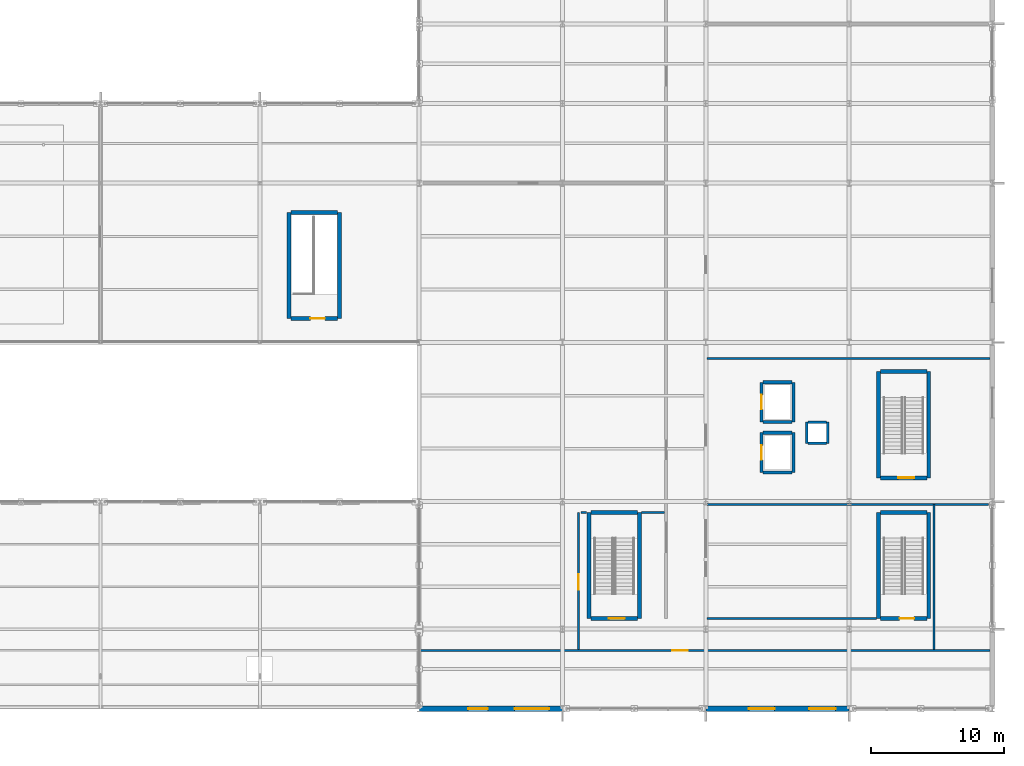
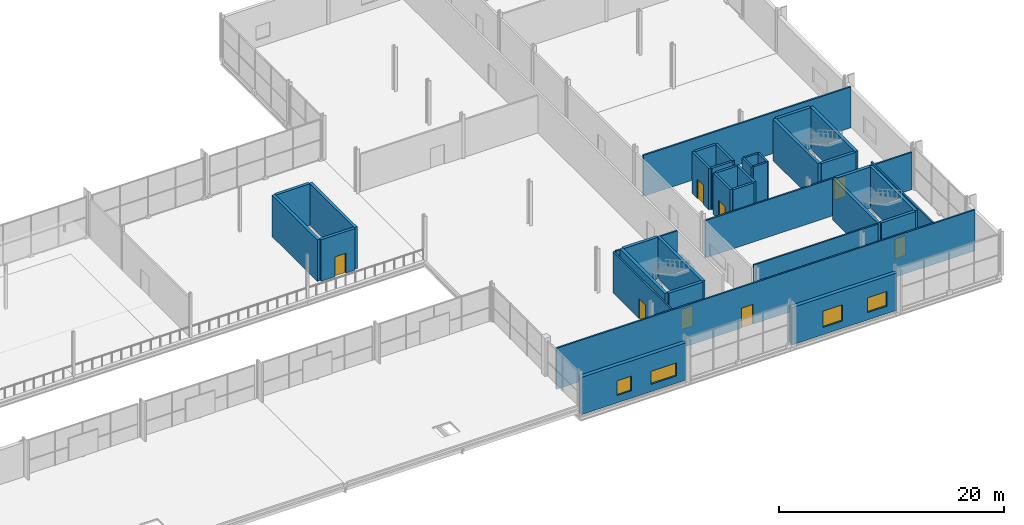
# One storey, part 141 of 159: 38 walls, 8 doors, 4 windows, 12 openings.
"""IFC4 building model written with IfcOpenShell, lengths in metres."""

from ifc_helpers import new_model, si_unit, direction, frame, frame_2d, origin, place, context, subcontext, project, spatial, rectangle, extrude, material, layer, layer_set, type_object, element, fill, save


model = new_model("IFC4")

# Units and contexts
model_context = context("Model", 3, precision=1e-05, world=origin(), true_north=direction((0.0, 1.0)))
body_context = subcontext(model_context, "Body", "Model", "MODEL_VIEW")
ifc_project = project(units=[si_unit("LENGTHUNIT", "METRE"), si_unit("AREAUNIT", "SQUARE_METRE"), si_unit("VOLUMEUNIT", "CUBIC_METRE"), si_unit("PLANEANGLEUNIT", "RADIAN"), si_unit("MASSUNIT", "GRAM", prefix="KILO")], contexts=[model_context])

# Site, building, storey
site_placement = place(None, origin())
site = spatial("IfcSite", under=ifc_project, at=site_placement, CompositionType="ELEMENT")
building_placement = place(site_placement, origin())
building = spatial("IfcBuilding", under=site, at=building_placement, Name="Merenkruunu Market Hall", CompositionType="ELEMENT")
storey_placement = place(building_placement, frame((0.0, 0.0, 5.39990234375)))
storey = spatial("IfcBuildingStorey", under=building, at=storey_placement, Name="L01", CompositionType="ELEMENT", Elevation=5.39990234375)

# Wall, openings, windows
ifc_material_1 = material(Name="Precast concrete C40/50", Category="concrete")
ifc_layer_1 = layer(ifc_material_1, 0.3798828125)
ifc_layer_set_1 = layer_set([ifc_layer_1], Name="Precast concrete C40/50")
wall_type_1 = type_object("IfcWallType", Name="Exterior Envelope Wall EW02", PredefinedType="STANDARD", material=ifc_layer_set_1)
wall_1_placement = place(storey_placement, frame((159.589111328125, 0.0, 0.0), z_axis=(0.0, 0.0, 1.0), x_axis=(-1.0, 0.0, 0.0)))
wall_1 = element("IfcWall", 1, at=wall_1_placement, inside=storey, type_object=wall_type_1, Name="WALL-EXT-L01-0073", PredefinedType="STANDARD", context=body_context, shape_type="SweptSolid", body=[
    extrude(rectangle(XDim=10.779296875, YDim=0.3798828125, at=frame_2d((5.3896484375, 0.0))), origin(), (0.0, 0.0, 1.0), 4.045166015625),
])
opening_1_placement = place(wall_1_placement, frame((1.0, 0.0, 0.800048828125)))
opening_1 = element("IfcOpeningElement", 2, at=opening_1_placement, cuts=wall_1, Name="Opening WN16", PredefinedType="OPENING", context=body_context, shape_type="SweptSolid", body=[
    extrude(rectangle(XDim=2.60009765625, YDim=1.39990234375, at=frame_2d((1.300048828125, 0.699951171875))), frame((0.0, 0.199951171875, 0.0), z_axis=(0.0, -1.0, 0.0), x_axis=(1.0, 0.0, 0.0)), (0.0, 0.0, 1.0), 0.39990234375),
])
opening_2_placement = place(wall_1_placement, frame((5.60009765625, 0.0, 0.800048828125)))
opening_2 = element("IfcOpeningElement", 3, at=opening_2_placement, cuts=wall_1, Name="Opening WN19", PredefinedType="OPENING", context=body_context, shape_type="SweptSolid", body=[
    extrude(rectangle(XDim=1.5, YDim=1.60009765625, at=frame_2d((0.75, 0.800048828125))), frame((0.0, 0.199951171875, 0.0), z_axis=(0.0, -1.0, 0.0), x_axis=(1.0, 0.0, 0.0)), (0.0, 0.0, 1.0), 0.39990234375),
])
ifc_material_2 = material(Name="Triple low-E insulated glass", Category="glass")
ifc_layer_2 = layer(ifc_material_2, 0.06005859375)
ifc_layer_set_2 = layer_set([ifc_layer_2], Name="Triple low-E insulated glass")
window_type_1 = type_object("IfcWindowType", Name="Exterior Window WN16", PartitioningType="SINGLE_PANEL", PredefinedType="WINDOW", material=ifc_layer_set_2)
window_1_placement = place(opening_1_placement, origin())
window_1 = element("IfcWindow", 4, at=window_1_placement, inside=storey, type_object=window_type_1, Name="WIN-L01-0027", OverallHeight=1.39990234375, OverallWidth=2.60009765625, PartitioningType="SINGLE_PANEL", PredefinedType="WINDOW", context=body_context, shape_type="SweptSolid", body=[
    extrude(rectangle(XDim=2.60009765625, YDim=1.39990234375, at=frame_2d((1.300048828125, 0.699951171875))), frame((0.0, 0.030029296875, 0.0), z_axis=(0.0, -1.0, 0.0), x_axis=(1.0, 0.0, 0.0)), (0.0, 0.0, 1.0), 0.06005859375),
])
fill(opening_1, window_1)
ifc_layer_3 = layer(ifc_material_2, 0.06005859375)
ifc_layer_set_3 = layer_set([ifc_layer_3], Name="Triple low-E insulated glass")
window_type_2 = type_object("IfcWindowType", Name="Exterior Window WN19", PartitioningType="SINGLE_PANEL", PredefinedType="WINDOW", material=ifc_layer_set_3)
window_2_placement = place(opening_2_placement, origin())
window_2 = element("IfcWindow", 5, at=window_2_placement, inside=storey, type_object=window_type_2, Name="WIN-L01-0028", OverallHeight=1.60009765625, OverallWidth=1.5, PartitioningType="SINGLE_PANEL", PredefinedType="WINDOW", context=body_context, shape_type="SweptSolid", body=[
    extrude(rectangle(XDim=1.5, YDim=1.60009765625, at=frame_2d((0.75, 0.800048828125))), frame((0.0, 0.030029296875, 0.0), z_axis=(0.0, -1.0, 0.0), x_axis=(1.0, 0.0, 0.0)), (0.0, 0.0, 1.0), 0.06005859375),
])
fill(opening_2, window_2)

wall_2_placement = place(storey_placement, frame((181.18896484375, 0.0, 0.0), z_axis=(0.0, 0.0, 1.0), x_axis=(-1.0, 0.0, 0.0)))
wall_2 = element("IfcWall", 6, at=wall_2_placement, inside=storey, type_object=wall_type_1, Name="WALL-EXT-L01-0074", PredefinedType="STANDARD", context=body_context, shape_type="SweptSolid", body=[
    extrude(rectangle(XDim=10.778076171875, YDim=0.3798828125, at=frame_2d((5.38916015625, 0.0))), origin(), (0.0, 0.0, 1.0), 4.045166015625),
])
opening_3_placement = place(wall_2_placement, frame((1.0, 0.0, 0.800048828125)))
opening_3 = element("IfcOpeningElement", 7, at=opening_3_placement, cuts=wall_2, Name="Opening WN20", PredefinedType="OPENING", context=body_context, shape_type="SweptSolid", body=[
    extrude(rectangle(XDim=2.0, YDim=1.60009765625, at=frame_2d((1.0, 0.800048828125))), frame((0.0, 0.199951171875, 0.0), z_axis=(0.0, -1.0, 0.0), x_axis=(1.0, 0.0, 0.0)), (0.0, 0.0, 1.0), 0.39990234375),
])
opening_4_placement = place(wall_2_placement, frame((5.60009765625, 0.0, 0.800048828125)))
opening_4 = element("IfcOpeningElement", 8, at=opening_4_placement, cuts=wall_2, Name="Opening WN25", PredefinedType="OPENING", context=body_context, shape_type="SweptSolid", body=[
    extrude(rectangle(XDim=1.949951171875, YDim=1.75, at=frame_2d((0.97509765625, 0.875))), frame((0.0, 0.199951171875, 0.0), z_axis=(0.0, -1.0, 0.0), x_axis=(1.0, 0.0, 0.0)), (0.0, 0.0, 1.0), 0.39990234375),
])
ifc_layer_4 = layer(ifc_material_2, 0.06005859375)
ifc_layer_set_4 = layer_set([ifc_layer_4], Name="Triple low-E insulated glass")
window_type_3 = type_object("IfcWindowType", Name="Exterior Window WN20", PartitioningType="SINGLE_PANEL", PredefinedType="WINDOW", material=ifc_layer_set_4)
window_3_placement = place(opening_3_placement, origin())
window_3 = element("IfcWindow", 9, at=window_3_placement, inside=storey, type_object=window_type_3, Name="WIN-L01-0029", OverallHeight=1.60009765625, OverallWidth=2.0, PartitioningType="SINGLE_PANEL", PredefinedType="WINDOW", context=body_context, shape_type="SweptSolid", body=[
    extrude(rectangle(XDim=2.0, YDim=1.60009765625, at=frame_2d((1.0, 0.800048828125))), frame((0.0, 0.030029296875, 0.0), z_axis=(0.0, -1.0, 0.0), x_axis=(1.0, 0.0, 0.0)), (0.0, 0.0, 1.0), 0.06005859375),
])
fill(opening_3, window_3)
ifc_layer_5 = layer(ifc_material_2, 0.06005859375)
ifc_layer_set_5 = layer_set([ifc_layer_5], Name="Triple low-E insulated glass")
window_type_4 = type_object("IfcWindowType", Name="Exterior Window WN25", PartitioningType="SINGLE_PANEL", PredefinedType="WINDOW", material=ifc_layer_set_5)
window_4_placement = place(opening_4_placement, origin())
window_4 = element("IfcWindow", 10, at=window_4_placement, inside=storey, type_object=window_type_4, Name="WIN-L01-0030", OverallHeight=1.75, OverallWidth=1.949951171875, PartitioningType="SINGLE_PANEL", PredefinedType="WINDOW", context=body_context, shape_type="SweptSolid", body=[
    extrude(rectangle(XDim=1.949951171875, YDim=1.75, at=frame_2d((0.97509765625, 0.875))), frame((0.0, 0.030029296875, 0.0), z_axis=(0.0, -1.0, 0.0), x_axis=(1.0, 0.0, 0.0)), (0.0, 0.0, 1.0), 0.06005859375),
])
fill(opening_4, window_4)

# Walls
ifc_material_3 = material(Name="Gypsum fire compartment board")
ifc_layer_6 = layer(ifc_material_3, 0.199951171875)
ifc_layer_set_6 = layer_set([ifc_layer_6], Name="Gypsum fire compartment board")
wall_type_2 = type_object("IfcWallType", Name="Interior Partition Wall FW02", PredefinedType="PARTITIONING", material=ifc_layer_set_6)
wall_3_placement = place(storey_placement, frame((178.10205078125, 20.0, 0.0), z_axis=(0.0, 0.0, 1.0), x_axis=(1.0, 0.0, 0.0)))
element("IfcWall", 11, at=wall_3_placement, inside=storey, type_object=wall_type_2, Name="WALL-INT-L01-0127", PredefinedType="PARTITIONING", context=body_context, shape_type="SweptSolid", body=[
    extrude(rectangle(XDim=1.39599609375, YDim=0.199951171875, at=frame_2d((0.697998046875, 0.0))), origin(), (0.0, 0.0, 1.0), 4.440185546875),
])
wall_4_placement = place(storey_placement, frame((179.60009765625, 20.0, 0.0), z_axis=(0.0, 0.0, 1.0), x_axis=(0.0, 1.0, 0.0)))
element("IfcWall", 12, at=wall_4_placement, inside=storey, type_object=wall_type_2, Name="WALL-INT-L01-0128", PredefinedType="PARTITIONING", context=body_context, shape_type="SweptSolid", body=[
    extrude(rectangle(XDim=1.60009765625, YDim=0.199951171875, at=frame_2d((0.800048828125, 0.0))), origin(), (0.0, 0.0, 1.0), 4.440185546875),
])
wall_5_placement = place(storey_placement, frame((179.498046875, 21.60009765625, 0.0), z_axis=(0.0, 0.0, 1.0), x_axis=(-1.0, 0.0, 0.0)))
element("IfcWall", 13, at=wall_5_placement, inside=storey, type_object=wall_type_2, Name="WALL-INT-L01-0129", PredefinedType="PARTITIONING", context=body_context, shape_type="SweptSolid", body=[
    extrude(rectangle(XDim=1.39599609375, YDim=0.199951171875, at=frame_2d((0.697998046875, 0.0))), origin(), (0.0, 0.0, 1.0), 4.440185546875),
])
wall_6_placement = place(storey_placement, frame((178.0, 21.60009765625, 0.0), z_axis=(0.0, 0.0, 1.0), x_axis=(0.0, -1.0, 0.0)))
element("IfcWall", 14, at=wall_6_placement, inside=storey, type_object=wall_type_2, Name="WALL-INT-L01-0130", PredefinedType="PARTITIONING", context=body_context, shape_type="SweptSolid", body=[
    extrude(rectangle(XDim=1.60009765625, YDim=0.199951171875, at=frame_2d((0.800048828125, 0.0))), origin(), (0.0, 0.0, 1.0), 4.440185546875),
])

# Wall, opening, door
ifc_material_4 = material(Name="Gypsum acoustic partition board")
ifc_layer_7 = layer(ifc_material_4, 0.159912109375)
ifc_layer_set_7 = layer_set([ifc_layer_7], Name="Gypsum acoustic partition board")
wall_type_3 = type_object("IfcWallType", Name="Interior Partition Wall PW01", PredefinedType="PARTITIONING", material=ifc_layer_set_7)
wall_7_placement = place(storey_placement, frame((148.882080078125, 4.39990234375, 0.0), z_axis=(0.0, 0.0, 1.0), x_axis=(1.0, 0.0, 0.0)))
wall_7 = element("IfcWall", 15, at=wall_7_placement, inside=storey, type_object=wall_type_3, Name="WALL-INT-L01-0056", PredefinedType="PARTITIONING", context=body_context, shape_type="SweptSolid", body=[
    extrude(rectangle(XDim=42.926025390625, YDim=0.159912109375, at=frame_2d((21.462890625, 0.0))), origin(), (0.0, 0.0, 1.0), 4.440185546875),
])
opening_5_placement = place(wall_7_placement, frame((19.0, 0.0, 0.0)))
opening_5 = element("IfcOpeningElement", 16, at=opening_5_placement, cuts=wall_7, Name="Opening D04", PredefinedType="OPENING", context=body_context, shape_type="SweptSolid", body=[
    extrude(rectangle(XDim=1.14990234375, YDim=2.14990234375, at=frame_2d((0.574951171875, 1.074951171875))), frame((0.0, 0.08984375, 0.0), z_axis=(0.0, -1.0, 0.0), x_axis=(1.0, 0.0, 0.0)), (0.0, 0.0, 1.0), 0.179931640625),
])
ifc_material_5 = material(Name="Lacquered Nordic birch")
door_type_1 = type_object("IfcDoorType", Name="Pedestrian Room Door D04", OperationType="NOTDEFINED", PredefinedType="DOOR", material=ifc_material_5)
door_1_placement = place(opening_5_placement, origin())
door_1 = element("IfcDoor", 17, at=door_1_placement, inside=storey, type_object=door_type_1, Name="DR-L01-057", OperationType="SINGLE_SWING_LEFT", OverallHeight=2.14990234375, OverallWidth=1.14990234375, PredefinedType="DOOR", context=body_context, shape_type="SweptSolid", body=[
    extrude(rectangle(XDim=1.14990234375, YDim=2.14990234375, at=frame_2d((0.574951171875, 1.074951171875))), frame((0.0, 0.02490234375, 0.0), z_axis=(0.0, -1.0, 0.0), x_axis=(1.0, 0.0, 0.0)), (0.0, 0.0, 1.0), 0.050048828125),
])
fill(opening_5, door_1)

wall_8_placement = place(storey_placement, frame((160.800048828125, 4.48193359375, 0.0), z_axis=(0.0, 0.0, 1.0), x_axis=(0.0, 1.0, 0.0)))
wall_8 = element("IfcWall", 18, at=wall_8_placement, inside=storey, type_object=wall_type_3, Name="WALL-INT-L01-0058", PredefinedType="PARTITIONING", context=body_context, shape_type="SweptSolid", body=[
    extrude(rectangle(XDim=10.318115234375, YDim=0.159912109375, at=frame_2d((5.1591796875, 0.0))), origin(), (0.0, 0.0, 1.0), 4.440185546875),
])
opening_6_placement = place(wall_8_placement, frame((4.5, 0.0, 0.0)))
opening_6 = element("IfcOpeningElement", 19, at=opening_6_placement, cuts=wall_8, Name="Opening D04", PredefinedType="OPENING", context=body_context, shape_type="SweptSolid", body=[
    extrude(rectangle(XDim=1.14990234375, YDim=2.14990234375, at=frame_2d((0.574951171875, 1.074951171875))), frame((0.0, 0.08984375, 0.0), z_axis=(0.0, -1.0, 0.0), x_axis=(1.0, 0.0, 0.0)), (0.0, 0.0, 1.0), 0.179931640625),
])
door_2_placement = place(opening_6_placement, origin())
door_2 = element("IfcDoor", 20, at=door_2_placement, inside=storey, type_object=door_type_1, Name="DR-L01-060", OperationType="SINGLE_SWING_RIGHT", OverallHeight=2.14990234375, OverallWidth=1.14990234375, PredefinedType="DOOR", context=body_context, shape_type="SweptSolid", body=[
    extrude(rectangle(XDim=1.14990234375, YDim=2.14990234375, at=frame_2d((0.574951171875, 1.074951171875))), frame((0.0, 0.02490234375, 0.0), z_axis=(0.0, -1.0, 0.0), x_axis=(1.0, 0.0, 0.0)), (0.0, 0.0, 1.0), 0.050048828125),
])
fill(opening_6, door_2)

# Walls
wall_9_placement = place(storey_placement, frame((161.0, 14.800048828125, 0.0), z_axis=(0.0, 0.0, 1.0), x_axis=(1.0, 0.0, 0.0)))
element("IfcWall", 21, at=wall_9_placement, inside=storey, type_object=wall_type_3, Name="WALL-INT-L01-0059", PredefinedType="PARTITIONING", context=body_context, shape_type="SweptSolid", body=[
    extrude(rectangle(XDim=0.39990234375, YDim=0.159912109375, at=frame_2d((0.199951171875, 0.0))), origin(), (0.0, 0.0, 1.0), 4.440185546875),
])
wall_10_placement = place(storey_placement, frame((165.552001953125, 14.800048828125, 0.0), z_axis=(0.0, 0.0, 1.0), x_axis=(1.0, 0.0, 0.0)))
element("IfcWall", 22, at=wall_10_placement, inside=storey, type_object=wall_type_3, Name="WALL-INT-L01-0060", PredefinedType="PARTITIONING", context=body_context, shape_type="SweptSolid", body=[
    extrude(rectangle(XDim=1.74609375, YDim=0.159912109375, at=frame_2d((0.873046875, 0.0))), origin(), (0.0, 0.0, 1.0), 4.440185546875),
])
wall_11_placement = place(storey_placement, frame((170.501953125, 6.800048828125, 0.0), z_axis=(0.0, 0.0, 1.0), x_axis=(1.0, 0.0, 0.0)))
element("IfcWall", 23, at=wall_11_placement, inside=storey, type_object=wall_type_3, Name="WALL-INT-L01-0063", PredefinedType="PARTITIONING", context=body_context, shape_type="SweptSolid", body=[
    extrude(rectangle(XDim=12.74609375, YDim=0.159912109375, at=frame_2d((6.373046875, 0.0))), origin(), (0.0, 0.0, 1.0), 4.440185546875),
])
wall_12_placement = place(storey_placement, frame((187.60009765625, 4.48193359375, 0.0), z_axis=(0.0, 0.0, 1.0), x_axis=(0.0, 1.0, 0.0)))
element("IfcWall", 24, at=wall_12_placement, inside=storey, type_object=wall_type_3, Name="WALL-INT-L01-0064", PredefinedType="PARTITIONING", context=body_context, shape_type="SweptSolid", body=[
    extrude(rectangle(XDim=10.91796875, YDim=0.159912109375, at=frame_2d((5.458984375, 0.0))), origin(), (0.0, 0.0, 1.0), 4.440185546875),
])
wall_13_placement = place(storey_placement, frame((170.501953125, 15.39990234375, 0.0), z_axis=(0.0, 0.0, 1.0), x_axis=(1.0, 0.0, 0.0)))
element("IfcWall", 25, at=wall_13_placement, inside=storey, type_object=wall_type_3, Name="WALL-INT-L01-0065", PredefinedType="PARTITIONING", context=body_context, shape_type="SweptSolid", body=[
    extrude(rectangle(XDim=21.197998046875, YDim=0.159912109375, at=frame_2d((10.59912109375, 0.0))), origin(), (0.0, 0.0, 1.0), 4.045166015625),
])
wall_14_placement = place(storey_placement, frame((170.501953125, 26.39990234375, 0.0), z_axis=(0.0, 0.0, 1.0), x_axis=(1.0, 0.0, 0.0)))
element("IfcWall", 26, at=wall_14_placement, inside=storey, type_object=wall_type_3, Name="WALL-INT-L01-0066", PredefinedType="PARTITIONING", context=body_context, shape_type="SweptSolid", body=[
    extrude(rectangle(XDim=21.30615234375, YDim=0.159912109375, at=frame_2d((10.653076171875, 0.0))), origin(), (0.0, 0.0, 1.0), 4.440185546875),
])

# Wall, opening, door
ifc_material_6 = material(Name="Concrete C35/45", Category="concrete")
ifc_layer_8 = layer(ifc_material_6, 0.300048828125)
ifc_layer_set_8 = layer_set([ifc_layer_8], Name="Concrete C35/45")
wall_type_4 = type_object("IfcWallType", Name="Structural Shear Wall SW02", PredefinedType="SHEAR", material=ifc_layer_set_8)
wall_15_placement = place(storey_placement, frame((187.050048828125, 6.800048828125, 0.0), z_axis=(0.0, 0.0, 1.0), x_axis=(-1.0, 0.0, 0.0)))
wall_15 = element("IfcWall", 27, at=wall_15_placement, inside=storey, type_object=wall_type_4, Name="WALL-CORE-K5-L01-S", PredefinedType="SHEAR", context=body_context, shape_type="SweptSolid", body=[
    extrude(rectangle(XDim=3.5, YDim=0.300048828125, at=frame_2d((1.75, 0.0))), origin(), (0.0, 0.0, 1.0), 4.489990234375),
])
opening_7_placement = place(wall_15_placement, frame((0.949951171875, 0.0, 0.0)))
opening_7 = element("IfcOpeningElement", 28, at=opening_7_placement, cuts=wall_15, Name="Opening FD02", PredefinedType="OPENING", context=body_context, shape_type="SweptSolid", body=[
    extrude(rectangle(XDim=1.10009765625, YDim=2.14990234375, at=frame_2d((0.550048828125, 1.074951171875))), frame((0.0, 0.16015625, 0.0), z_axis=(0.0, -1.0, 0.0), x_axis=(1.0, 0.0, 0.0)), (0.0, 0.0, 1.0), 0.320068359375),
])
ifc_material_7 = material(Name="Powder-coated aluminium", Category="aluminium")
door_type_2 = type_object("IfcDoorType", Name="Fire Compartment Door FD02", OperationType="NOTDEFINED", PredefinedType="DOOR", material=ifc_material_7)
door_3_placement = place(opening_7_placement, origin())
door_3 = element("IfcDoor", 29, at=door_3_placement, inside=storey, type_object=door_type_2, Name="DR-L01-112", OperationType="SINGLE_SWING_RIGHT", OverallHeight=2.14990234375, OverallWidth=1.10009765625, PredefinedType="DOOR", context=body_context, shape_type="SweptSolid", body=[
    extrude(rectangle(XDim=1.10009765625, YDim=2.14990234375, at=frame_2d((0.550048828125, 1.074951171875))), frame((0.0, 0.02490234375, 0.0), z_axis=(0.0, -1.0, 0.0), x_axis=(1.0, 0.0, 0.0)), (0.0, 0.0, 1.0), 0.050048828125),
])
fill(opening_7, door_3)

# Walls
wall_16_placement = place(storey_placement, frame((187.199951171875, 6.800048828125, 0.0), z_axis=(0.0, 0.0, 1.0), x_axis=(0.0, 1.0, 0.0)))
element("IfcWall", 30, at=wall_16_placement, inside=storey, type_object=wall_type_4, Name="WALL-CORE-K5-L01-E", PredefinedType="SHEAR", context=body_context, shape_type="SweptSolid", body=[
    extrude(rectangle(XDim=8.0, YDim=0.300048828125, at=frame_2d((4.0, 0.0))), origin(), (0.0, 0.0, 1.0), 4.489990234375),
])
wall_17_placement = place(storey_placement, frame((187.050048828125, 14.800048828125, 0.0), z_axis=(0.0, 0.0, 1.0), x_axis=(-1.0, 0.0, 0.0)))
element("IfcWall", 31, at=wall_17_placement, inside=storey, type_object=wall_type_4, Name="WALL-CORE-K5-L01-N", PredefinedType="SHEAR", context=body_context, shape_type="SweptSolid", body=[
    extrude(rectangle(XDim=3.5, YDim=0.300048828125, at=frame_2d((1.75, 0.0))), origin(), (0.0, 0.0, 1.0), 4.489990234375),
])
wall_18_placement = place(storey_placement, frame((183.39990234375, 14.800048828125, 0.0), z_axis=(0.0, 0.0, 1.0), x_axis=(0.0, -1.0, 0.0)))
element("IfcWall", 32, at=wall_18_placement, inside=storey, type_object=wall_type_4, Name="WALL-CORE-K5-L01-W", PredefinedType="SHEAR", context=body_context, shape_type="SweptSolid", body=[
    extrude(rectangle(XDim=8.0, YDim=0.300048828125, at=frame_2d((4.0, 0.0))), origin(), (0.0, 0.0, 1.0), 4.489990234375),
])

# Wall, opening, door
wall_19_placement = place(storey_placement, frame((187.050048828125, 17.39990234375, 0.0), z_axis=(0.0, 0.0, 1.0), x_axis=(-1.0, 0.0, 0.0)))
wall_19 = element("IfcWall", 33, at=wall_19_placement, inside=storey, type_object=wall_type_4, Name="WALL-CORE-K6-L01-S", PredefinedType="SHEAR", context=body_context, shape_type="SweptSolid", body=[
    extrude(rectangle(XDim=3.5, YDim=0.300048828125, at=frame_2d((1.75, 0.0))), origin(), (0.0, 0.0, 1.0), 4.489990234375),
])
opening_8_placement = place(wall_19_placement, frame((0.949951171875, 0.0, 0.0)))
opening_8 = element("IfcOpeningElement", 34, at=opening_8_placement, cuts=wall_19, Name="Opening FD03", PredefinedType="OPENING", context=body_context, shape_type="SweptSolid", body=[
    extrude(rectangle(XDim=1.199951171875, YDim=2.199951171875, at=frame_2d((0.60009765625, 1.10009765625))), frame((0.0, 0.16015625, 0.0), z_axis=(0.0, -1.0, 0.0), x_axis=(1.0, 0.0, 0.0)), (0.0, 0.0, 1.0), 0.320068359375),
])
door_type_3 = type_object("IfcDoorType", Name="Fire Compartment Door FD03", OperationType="NOTDEFINED", PredefinedType="DOOR", material=ifc_material_7)
door_4_placement = place(opening_8_placement, origin())
door_4 = element("IfcDoor", 35, at=door_4_placement, inside=storey, type_object=door_type_3, Name="DR-L01-117", OperationType="SINGLE_SWING_LEFT", OverallHeight=2.199951171875, OverallWidth=1.199951171875, PredefinedType="DOOR", context=body_context, shape_type="SweptSolid", body=[
    extrude(rectangle(XDim=1.199951171875, YDim=2.199951171875, at=frame_2d((0.60009765625, 1.10009765625))), frame((0.0, 0.02490234375, 0.0), z_axis=(0.0, -1.0, 0.0), x_axis=(1.0, 0.0, 0.0)), (0.0, 0.0, 1.0), 0.050048828125),
])
fill(opening_8, door_4)

# Walls
wall_20_placement = place(storey_placement, frame((187.199951171875, 17.39990234375, 0.0), z_axis=(0.0, 0.0, 1.0), x_axis=(0.0, 1.0, 0.0)))
element("IfcWall", 36, at=wall_20_placement, inside=storey, type_object=wall_type_4, Name="WALL-CORE-K6-L01-E", PredefinedType="SHEAR", context=body_context, shape_type="SweptSolid", body=[
    extrude(rectangle(XDim=8.0, YDim=0.300048828125, at=frame_2d((4.0, 0.0))), origin(), (0.0, 0.0, 1.0), 4.489990234375),
])
wall_21_placement = place(storey_placement, frame((187.050048828125, 25.39990234375, 0.0), z_axis=(0.0, 0.0, 1.0), x_axis=(-1.0, 0.0, 0.0)))
element("IfcWall", 37, at=wall_21_placement, inside=storey, type_object=wall_type_4, Name="WALL-CORE-K6-L01-N", PredefinedType="SHEAR", context=body_context, shape_type="SweptSolid", body=[
    extrude(rectangle(XDim=3.5, YDim=0.300048828125, at=frame_2d((1.75, 0.0))), origin(), (0.0, 0.0, 1.0), 4.489990234375),
])
wall_22_placement = place(storey_placement, frame((183.39990234375, 25.39990234375, 0.0), z_axis=(0.0, 0.0, 1.0), x_axis=(0.0, -1.0, 0.0)))
element("IfcWall", 38, at=wall_22_placement, inside=storey, type_object=wall_type_4, Name="WALL-CORE-K6-L01-W", PredefinedType="SHEAR", context=body_context, shape_type="SweptSolid", body=[
    extrude(rectangle(XDim=8.0, YDim=0.300048828125, at=frame_2d((4.0, 0.0))), origin(), (0.0, 0.0, 1.0), 4.489990234375),
])

# Wall, opening, door
wall_23_placement = place(storey_placement, frame((142.64990234375, 29.39990234375, 0.0), z_axis=(0.0, 0.0, 1.0), x_axis=(-1.0, 0.0, 0.0)))
wall_23 = element("IfcWall", 39, at=wall_23_placement, inside=storey, type_object=wall_type_4, Name="WALL-CORE-K8-L01-S", PredefinedType="SHEAR", context=body_context, shape_type="SweptSolid", body=[
    extrude(rectangle(XDim=3.5, YDim=0.300048828125, at=frame_2d((1.75, 0.0))), origin(), (0.0, 0.0, 1.0), 4.5),
])
opening_9_placement = place(wall_23_placement, frame((0.949951171875, 0.0, 0.0)))
opening_9 = element("IfcOpeningElement", 40, at=opening_9_placement, cuts=wall_23, Name="Opening FD02", PredefinedType="OPENING", context=body_context, shape_type="SweptSolid", body=[
    extrude(rectangle(XDim=1.10009765625, YDim=2.14990234375, at=frame_2d((0.550048828125, 1.074951171875))), frame((0.0, 0.16015625, 0.0), z_axis=(0.0, -1.0, 0.0), x_axis=(1.0, 0.0, 0.0)), (0.0, 0.0, 1.0), 0.320068359375),
])
door_5_placement = place(opening_9_placement, origin())
door_5 = element("IfcDoor", 41, at=door_5_placement, inside=storey, type_object=door_type_2, Name="DR-L01-124", OperationType="SINGLE_SWING_RIGHT", OverallHeight=2.14990234375, OverallWidth=1.10009765625, PredefinedType="DOOR", context=body_context, shape_type="SweptSolid", body=[
    extrude(rectangle(XDim=1.10009765625, YDim=2.14990234375, at=frame_2d((0.550048828125, 1.074951171875))), frame((0.0, 0.02490234375, 0.0), z_axis=(0.0, -1.0, 0.0), x_axis=(1.0, 0.0, 0.0)), (0.0, 0.0, 1.0), 0.050048828125),
])
fill(opening_9, door_5)

# Walls
wall_24_placement = place(storey_placement, frame((142.800048828125, 29.39990234375, 0.0), z_axis=(0.0, 0.0, 1.0), x_axis=(0.0, 1.0, 0.0)))
element("IfcWall", 42, at=wall_24_placement, inside=storey, type_object=wall_type_4, Name="WALL-CORE-K8-L01-E", PredefinedType="SHEAR", context=body_context, shape_type="SweptSolid", body=[
    extrude(rectangle(XDim=8.0, YDim=0.300048828125, at=frame_2d((4.0, 0.0))), origin(), (0.0, 0.0, 1.0), 4.5),
])
wall_25_placement = place(storey_placement, frame((142.64990234375, 37.39990234375, 0.0), z_axis=(0.0, 0.0, 1.0), x_axis=(-1.0, 0.0, 0.0)))
element("IfcWall", 43, at=wall_25_placement, inside=storey, type_object=wall_type_4, Name="WALL-CORE-K8-L01-N", PredefinedType="SHEAR", context=body_context, shape_type="SweptSolid", body=[
    extrude(rectangle(XDim=3.5, YDim=0.300048828125, at=frame_2d((1.75, 0.0))), origin(), (0.0, 0.0, 1.0), 4.5),
])
wall_26_placement = place(storey_placement, frame((139.0, 37.39990234375, 0.0), z_axis=(0.0, 0.0, 1.0), x_axis=(0.0, -1.0, 0.0)))
element("IfcWall", 44, at=wall_26_placement, inside=storey, type_object=wall_type_4, Name="WALL-CORE-K8-L01-W", PredefinedType="SHEAR", context=body_context, shape_type="SweptSolid", body=[
    extrude(rectangle(XDim=8.0, YDim=0.300048828125, at=frame_2d((4.0, 0.0))), origin(), (0.0, 0.0, 1.0), 4.5),
])

# Wall, opening, door
wall_27_placement = place(storey_placement, frame((165.25, 6.800048828125, 0.0), z_axis=(0.0, 0.0, 1.0), x_axis=(-1.0, 0.0, 0.0)))
wall_27 = element("IfcWall", 45, at=wall_27_placement, inside=storey, type_object=wall_type_4, Name="WALL-CORE-K9-L01-S", PredefinedType="SHEAR", context=body_context, shape_type="SweptSolid", body=[
    extrude(rectangle(XDim=3.5, YDim=0.300048828125, at=frame_2d((1.75, 0.0))), origin(), (0.0, 0.0, 1.0), 4.489990234375),
])
opening_10_placement = place(wall_27_placement, frame((0.949951171875, 0.0, 0.0)))
opening_10 = element("IfcOpeningElement", 46, at=opening_10_placement, cuts=wall_27, Name="Opening FD03", PredefinedType="OPENING", context=body_context, shape_type="SweptSolid", body=[
    extrude(rectangle(XDim=1.199951171875, YDim=2.199951171875, at=frame_2d((0.60009765625, 1.10009765625))), frame((0.0, 0.16015625, 0.0), z_axis=(0.0, -1.0, 0.0), x_axis=(1.0, 0.0, 0.0)), (0.0, 0.0, 1.0), 0.320068359375),
])
door_6_placement = place(opening_10_placement, origin())
door_6 = element("IfcDoor", 47, at=door_6_placement, inside=storey, type_object=door_type_3, Name="DR-L01-126", OperationType="SINGLE_SWING_RIGHT", OverallHeight=2.199951171875, OverallWidth=1.199951171875, PredefinedType="DOOR", context=body_context, shape_type="SweptSolid", body=[
    extrude(rectangle(XDim=1.199951171875, YDim=2.199951171875, at=frame_2d((0.60009765625, 1.10009765625))), frame((0.0, 0.02490234375, 0.0), z_axis=(0.0, -1.0, 0.0), x_axis=(1.0, 0.0, 0.0)), (0.0, 0.0, 1.0), 0.050048828125),
])
fill(opening_10, door_6)

# Walls
wall_28_placement = place(storey_placement, frame((165.39990234375, 6.800048828125, 0.0), z_axis=(0.0, 0.0, 1.0), x_axis=(0.0, 1.0, 0.0)))
element("IfcWall", 48, at=wall_28_placement, inside=storey, type_object=wall_type_4, Name="WALL-CORE-K9-L01-E", PredefinedType="SHEAR", context=body_context, shape_type="SweptSolid", body=[
    extrude(rectangle(XDim=8.0, YDim=0.300048828125, at=frame_2d((4.0, 0.0))), origin(), (0.0, 0.0, 1.0), 4.489990234375),
])
wall_29_placement = place(storey_placement, frame((165.25, 14.800048828125, 0.0), z_axis=(0.0, 0.0, 1.0), x_axis=(-1.0, 0.0, 0.0)))
element("IfcWall", 49, at=wall_29_placement, inside=storey, type_object=wall_type_4, Name="WALL-CORE-K9-L01-N", PredefinedType="SHEAR", context=body_context, shape_type="SweptSolid", body=[
    extrude(rectangle(XDim=3.5, YDim=0.300048828125, at=frame_2d((1.75, 0.0))), origin(), (0.0, 0.0, 1.0), 4.489990234375),
])
wall_30_placement = place(storey_placement, frame((161.60009765625, 14.800048828125, 0.0), z_axis=(0.0, 0.0, 1.0), x_axis=(0.0, -1.0, 0.0)))
element("IfcWall", 50, at=wall_30_placement, inside=storey, type_object=wall_type_4, Name="WALL-CORE-K9-L01-W", PredefinedType="SHEAR", context=body_context, shape_type="SweptSolid", body=[
    extrude(rectangle(XDim=8.0, YDim=0.300048828125, at=frame_2d((4.0, 0.0))), origin(), (0.0, 0.0, 1.0), 4.489990234375),
])
ifc_layer_9 = layer(ifc_material_6, 0.239990234375)
ifc_layer_set_9 = layer_set([ifc_layer_9], Name="Concrete C35/45")
wall_type_5 = type_object("IfcWallType", Name="Structural Shear Wall SW04", PredefinedType="SHEAR", material=ifc_layer_set_9)
wall_31_placement = place(storey_placement, frame((174.719970703125, 17.800048828125, 0.0), z_axis=(0.0, 0.0, 1.0), x_axis=(1.0, 0.0, 0.0)))
element("IfcWall", 51, at=wall_31_placement, inside=storey, type_object=wall_type_5, Name="WALL-LIFT-LP4-L01-S", PredefinedType="SHEAR", context=body_context, shape_type="SweptSolid", body=[
    extrude(rectangle(XDim=2.159912109375, YDim=0.239990234375, at=frame_2d((1.080078125, 0.0))), origin(), (0.0, 0.0, 1.0), 4.489990234375),
])
wall_32_placement = place(storey_placement, frame((177.0, 17.800048828125, 0.0), z_axis=(0.0, 0.0, 1.0), x_axis=(0.0, 1.0, 0.0)))
element("IfcWall", 52, at=wall_32_placement, inside=storey, type_object=wall_type_5, Name="WALL-LIFT-LP4-L01-E", PredefinedType="SHEAR", context=body_context, shape_type="SweptSolid", body=[
    extrude(rectangle(XDim=3.0, YDim=0.239990234375, at=frame_2d((1.5, 0.0))), origin(), (0.0, 0.0, 1.0), 4.489990234375),
])
wall_33_placement = place(storey_placement, frame((176.8798828125, 20.800048828125, 0.0), z_axis=(0.0, 0.0, 1.0), x_axis=(-1.0, 0.0, 0.0)))
element("IfcWall", 53, at=wall_33_placement, inside=storey, type_object=wall_type_5, Name="WALL-LIFT-LP4-L01-N", PredefinedType="SHEAR", context=body_context, shape_type="SweptSolid", body=[
    extrude(rectangle(XDim=2.159912109375, YDim=0.239990234375, at=frame_2d((1.080078125, 0.0))), origin(), (0.0, 0.0, 1.0), 4.489990234375),
])

# Wall, opening, door
wall_34_placement = place(storey_placement, frame((174.60009765625, 20.800048828125, 0.0), z_axis=(0.0, 0.0, 1.0), x_axis=(0.0, -1.0, 0.0)))
wall_34 = element("IfcWall", 54, at=wall_34_placement, inside=storey, type_object=wall_type_5, Name="WALL-LIFT-LP4-L01-W", PredefinedType="SHEAR", context=body_context, shape_type="SweptSolid", body=[
    extrude(rectangle(XDim=3.0, YDim=0.239990234375, at=frame_2d((1.5, 0.0))), origin(), (0.0, 0.0, 1.0), 4.489990234375),
])
opening_11_placement = place(wall_34_placement, frame((0.949951171875, 0.0, 0.0)))
opening_11 = element("IfcOpeningElement", 55, at=opening_11_placement, cuts=wall_34, Name="Opening LD01", PredefinedType="OPENING", context=body_context, shape_type="SweptSolid", body=[
    extrude(rectangle(XDim=1.10009765625, YDim=2.10009765625, at=frame_2d((0.550048828125, 1.050048828125))), frame((0.0, 0.1298828125, 0.0), z_axis=(0.0, -1.0, 0.0), x_axis=(1.0, 0.0, 0.0)), (0.0, 0.0, 1.0), 0.260009765625),
])
ifc_material_8 = material(Name="Brushed stainless steel", Category="steel")
door_type_4 = type_object("IfcDoorType", Name="Lift Landing Sliding Door LD01", OperationType="NOTDEFINED", PredefinedType="DOOR", material=ifc_material_8)
door_7_placement = place(opening_11_placement, origin())
door_7 = element("IfcDoor", 56, at=door_7_placement, inside=storey, type_object=door_type_4, Name="Lift landing door LP4 L01", OperationType="SLIDING_TO_LEFT", OverallHeight=2.10009765625, OverallWidth=1.10009765625, PredefinedType="DOOR", context=body_context, shape_type="SweptSolid", body=[
    extrude(rectangle(XDim=1.10009765625, YDim=2.10009765625, at=frame_2d((0.550048828125, 1.050048828125))), frame((0.0, 0.02490234375, 0.0), z_axis=(0.0, -1.0, 0.0), x_axis=(1.0, 0.0, 0.0)), (0.0, 0.0, 1.0), 0.050048828125),
])
fill(opening_11, door_7)

# Walls
wall_35_placement = place(storey_placement, frame((174.719970703125, 21.60009765625, 0.0), z_axis=(0.0, 0.0, 1.0), x_axis=(1.0, 0.0, 0.0)))
element("IfcWall", 57, at=wall_35_placement, inside=storey, type_object=wall_type_5, Name="WALL-LIFT-LP5-L01-S", PredefinedType="SHEAR", context=body_context, shape_type="SweptSolid", body=[
    extrude(rectangle(XDim=2.159912109375, YDim=0.239990234375, at=frame_2d((1.080078125, 0.0))), origin(), (0.0, 0.0, 1.0), 4.489990234375),
])
wall_36_placement = place(storey_placement, frame((177.0, 21.60009765625, 0.0), z_axis=(0.0, 0.0, 1.0), x_axis=(0.0, 1.0, 0.0)))
element("IfcWall", 58, at=wall_36_placement, inside=storey, type_object=wall_type_5, Name="WALL-LIFT-LP5-L01-E", PredefinedType="SHEAR", context=body_context, shape_type="SweptSolid", body=[
    extrude(rectangle(XDim=3.0, YDim=0.239990234375, at=frame_2d((1.5, 0.0))), origin(), (0.0, 0.0, 1.0), 4.489990234375),
])
wall_37_placement = place(storey_placement, frame((176.8798828125, 24.60009765625, 0.0), z_axis=(0.0, 0.0, 1.0), x_axis=(-1.0, 0.0, 0.0)))
element("IfcWall", 59, at=wall_37_placement, inside=storey, type_object=wall_type_5, Name="WALL-LIFT-LP5-L01-N", PredefinedType="SHEAR", context=body_context, shape_type="SweptSolid", body=[
    extrude(rectangle(XDim=2.159912109375, YDim=0.239990234375, at=frame_2d((1.080078125, 0.0))), origin(), (0.0, 0.0, 1.0), 4.489990234375),
])

# Wall, opening, door
wall_38_placement = place(storey_placement, frame((174.60009765625, 24.60009765625, 0.0), z_axis=(0.0, 0.0, 1.0), x_axis=(0.0, -1.0, 0.0)))
wall_38 = element("IfcWall", 60, at=wall_38_placement, inside=storey, type_object=wall_type_5, Name="WALL-LIFT-LP5-L01-W", PredefinedType="SHEAR", context=body_context, shape_type="SweptSolid", body=[
    extrude(rectangle(XDim=3.0, YDim=0.239990234375, at=frame_2d((1.5, 0.0))), origin(), (0.0, 0.0, 1.0), 4.489990234375),
])
opening_12_placement = place(wall_38_placement, frame((0.949951171875, 0.0, 0.0)))
opening_12 = element("IfcOpeningElement", 61, at=opening_12_placement, cuts=wall_38, Name="Opening LD01", PredefinedType="OPENING", context=body_context, shape_type="SweptSolid", body=[
    extrude(rectangle(XDim=1.10009765625, YDim=2.10009765625, at=frame_2d((0.550048828125, 1.050048828125))), frame((0.0, 0.1298828125, 0.0), z_axis=(0.0, -1.0, 0.0), x_axis=(1.0, 0.0, 0.0)), (0.0, 0.0, 1.0), 0.260009765625),
])
door_8_placement = place(opening_12_placement, origin())
door_8 = element("IfcDoor", 62, at=door_8_placement, inside=storey, type_object=door_type_4, Name="Lift landing door LP5 L01", OperationType="SLIDING_TO_LEFT", OverallHeight=2.10009765625, OverallWidth=1.10009765625, PredefinedType="DOOR", context=body_context, shape_type="SweptSolid", body=[
    extrude(rectangle(XDim=1.10009765625, YDim=2.10009765625, at=frame_2d((0.550048828125, 1.050048828125))), frame((0.0, 0.02490234375, 0.0), z_axis=(0.0, -1.0, 0.0), x_axis=(1.0, 0.0, 0.0)), (0.0, 0.0, 1.0), 0.050048828125),
])
fill(opening_12, door_8)

save(model, "model.ifc")
